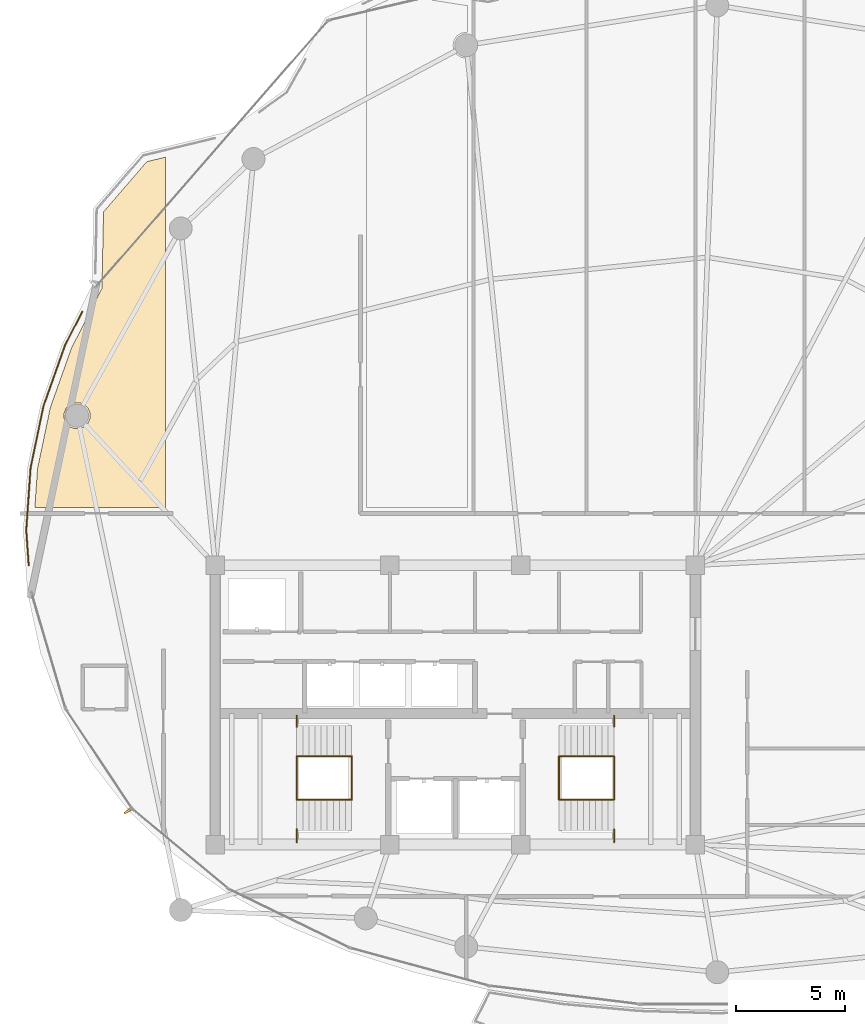
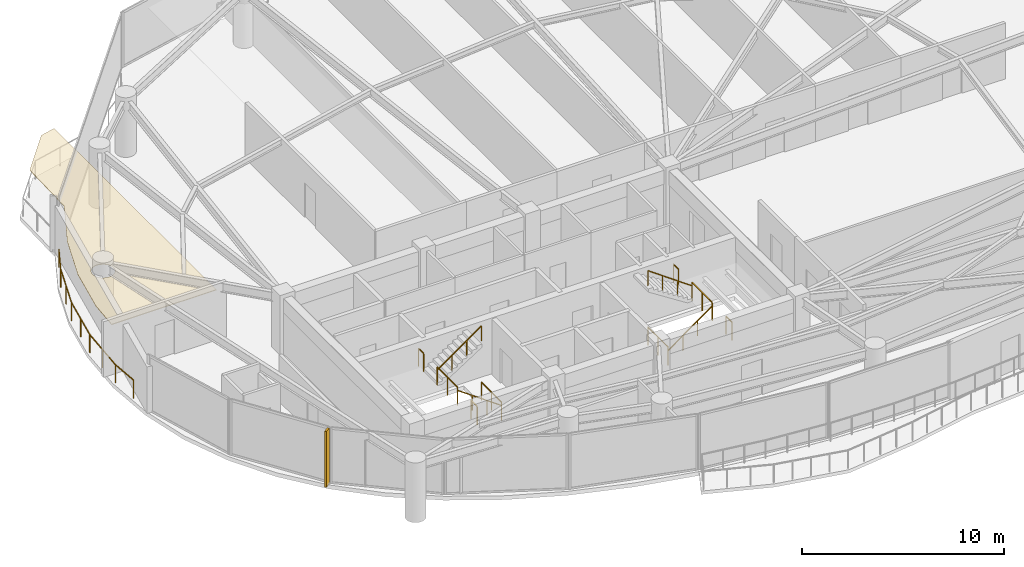
# One storey, part 26 of 28: 13 railings, 1 covering, 1 shading device.
"""IFC4 building model written with IfcOpenShell, lengths in metres."""

from ifc_helpers import new_model, si_unit, direction, frame, origin, origin_2d, place, context, subcontext, project, spatial, polyline, rectangle, outline, extrude, material, layer, layer_set, type_object, element, save


model = new_model("IFC4")

# Units and contexts
model_context = context("Model", 3, precision=1e-05, world=origin(), true_north=direction((0.0, 1.0)))
body_context = subcontext(model_context, "Body", "Model", "MODEL_VIEW")
ifc_project = project(units=[si_unit("LENGTHUNIT", "METRE"), si_unit("AREAUNIT", "SQUARE_METRE"), si_unit("VOLUMEUNIT", "CUBIC_METRE"), si_unit("PLANEANGLEUNIT", "RADIAN"), si_unit("MASSUNIT", "GRAM", prefix="KILO")], contexts=[model_context])

# Site, building, storey
site_placement = place(None, origin())
site = spatial("IfcSite", under=ifc_project, at=site_placement, CompositionType="ELEMENT")
building_placement = place(site_placement, origin())
building = spatial("IfcBuilding", under=site, at=building_placement, Name="Kazevale Care Tower and Concert Hall", CompositionType="ELEMENT")
storey_placement = place(building_placement, frame((0.0, 0.0, 228.0)))
storey = spatial("IfcBuildingStorey", under=building, at=storey_placement, Name="L60", CompositionType="ELEMENT", Elevation=228.0)

# Covering
ifc_material_1 = material(Name="Acoustic Plaster and Hinoki Wood", Category="wood")
ifc_layer = layer(ifc_material_1, 0.0400390625)
ifc_layer_set = layer_set([ifc_layer], Name="Acoustic Plaster and Hinoki Wood")
covering_type = type_object("IfcCoveringType", Name="Acoustic Perforated Wood-Gypsum Ceiling", PredefinedType="CEILING", material=ifc_layer_set)
covering_placement = place(storey_placement, frame((0.0, 0.0, 2.7099609375)))
element("IfcCovering", 1, at=covering_placement, inside=storey, type_object=covering_type, Name="clg:L60:1", PredefinedType="CEILING", context=body_context, shape_type="SweptSolid", body=[
    extrude(outline(polyline([(14.44091796875, 43.615966796875), (15.407958984375, 46.339111328125), (16.806884765625, 49.0791015625), (16.8798828125, 52.589111328125), (18.864990234375, 54.888916015625), (19.719970703125, 55.095947265625), (19.719970703125, 39.054931640625), (13.73388671875, 39.054931640625), (13.85693359375, 40.824951171875), (14.44091796875, 43.615966796875)]), holes=[polyline([(16.262939453125, 43.367919921875), (16.173095703125, 43.5859375), (16.006103515625, 43.7529296875), (15.7880859375, 43.843017578125), (15.552001953125, 43.843017578125), (15.333984375, 43.7529296875), (15.1669921875, 43.5859375), (15.076904296875, 43.367919921875), (15.076904296875, 43.132080078125), (15.1669921875, 42.9140625), (15.333984375, 42.7470703125), (15.552001953125, 42.656982421875), (15.7880859375, 42.656982421875), (16.006103515625, 42.7470703125), (16.173095703125, 42.9140625), (16.262939453125, 43.132080078125), (16.262939453125, 43.367919921875)])]), origin(), (0.0, 0.0, 1.0), 0.0400390625),
])

# Railings
ifc_material_2 = material(Name="Anodised Bronze Aluminium and Laminated Glass", Category="aluminium")
railing_type_1 = type_object("IfcRailingType", Name="Balcony and Terrace Balustrade 1120", PredefinedType="BALUSTRADE", material=ifc_material_2)
railing_1_placement = place(storey_placement, frame((13.451904296875, 36.39892578125, 0.0)))
element("IfcRailing", 2, at=railing_1_placement, inside=storey, type_object=railing_type_1, Name="rail:L60:perim:1", PredefinedType="BALUSTRADE", context=body_context, shape_type="SweptSolid", body=[
    extrude(rectangle(XDim=0.048095703125, YDim=0.048095703125, at=origin_2d()), frame((0.0, 0.0, 1.09619140625), z_axis=(-0.069668671127, 0.997570186134, 0.0), x_axis=(-0.997570186134, -0.069668671127, 0.0)), (0.0, 0.0, 1.0), 1.60498046875),
    extrude(rectangle(XDim=0.048095703125, YDim=0.048095703125, at=origin_2d()), frame((-0.11181640625, 1.60107421875, 1.09619140625), z_axis=(0.069189590327, 0.997603528758, 0.0), x_axis=(-0.997603528758, 0.069189590327, 0.0)), (0.0, 0.0, 1.0), 2.875732421875),
    extrude(rectangle(XDim=0.048095703125, YDim=0.048095703125, at=origin_2d()), frame((0.087158203125, 4.469970703125, 1.09619140625), z_axis=(0.204816187417, 0.978800454317, 0.0), x_axis=(-0.978800454317, 0.204816187417, 0.0)), (0.0, 0.0, 1.0), 2.895263671875),
    extrude(rectangle(XDim=0.048095703125, YDim=0.048095703125, at=origin_2d()), frame((0.68017578125, 7.303955078125, 1.09619140625), z_axis=(0.334552974602, 0.942376945381, 0.0), x_axis=(-0.942376945381, 0.334552974602, 0.0)), (0.0, 0.0, 1.0), 2.93212890625),
    extrude(rectangle(XDim=0.048095703125, YDim=0.048095703125, at=origin_2d()), frame((1.6611328125, 10.067138671875, 1.09619140625), z_axis=(0.455056261721, 0.890462687971, 0.0), x_axis=(-0.890462687971, 0.455056261721, 0.0)), (0.0, 0.0, 1.0), 1.72705078125),
    extrude(rectangle(XDim=0.0419921875, YDim=0.0419921875, at=origin_2d()), origin(), (0.0, 0.0, 1.0), 1.072021484375),
    extrude(rectangle(XDim=0.0419921875, YDim=0.0419921875, at=origin_2d()), frame((-0.11181640625, 1.60107421875, 0.0)), (0.0, 0.0, 1.0), 1.072021484375),
    extrude(rectangle(XDim=0.0419921875, YDim=0.0419921875, at=origin_2d()), frame((-0.01220703125, 3.03564453125, 0.0)), (0.0, 0.0, 1.0), 1.072021484375),
    extrude(rectangle(XDim=0.0419921875, YDim=0.0419921875, at=origin_2d()), frame((0.087158203125, 4.469970703125, 0.0)), (0.0, 0.0, 1.0), 1.072021484375),
    extrude(rectangle(XDim=0.0419921875, YDim=0.0419921875, at=origin_2d()), frame((0.3837890625, 5.886962890625, 0.0)), (0.0, 0.0, 1.0), 1.072021484375),
    extrude(rectangle(XDim=0.0419921875, YDim=0.0419921875, at=origin_2d()), frame((0.68017578125, 7.303955078125, 0.0)), (0.0, 0.0, 1.0), 1.072021484375),
    extrude(rectangle(XDim=0.0419921875, YDim=0.0419921875, at=origin_2d()), frame((1.170654296875, 8.685546875, 0.0)), (0.0, 0.0, 1.0), 1.072021484375),
    extrude(rectangle(XDim=0.0419921875, YDim=0.0419921875, at=origin_2d()), frame((1.6611328125, 10.067138671875, 0.0)), (0.0, 0.0, 1.0), 1.072021484375),
    extrude(rectangle(XDim=0.0419921875, YDim=0.0419921875, at=origin_2d()), frame((2.447021484375, 11.60498046875, 0.0)), (0.0, 0.0, 1.0), 1.072021484375),
])
ifc_material_3 = material(Name="Stainless Steel 316", Category="steel")
railing_type_2 = type_object("IfcRailingType", Name="Stair Pitch Handrail 920", PredefinedType="HANDRAIL", material=ifc_material_3)
railing_2_placement = place(storey_placement, frame((28.25, 25.64990234375, 0.0)))
element("IfcRailing", 3, at=railing_2_placement, inside=storey, type_object=railing_type_2, Name="stair:L60:ST1:hr1", PredefinedType="HANDRAIL", context=body_context, shape_type="SweptSolid", body=[
    extrude(rectangle(XDim=0.048095703125, YDim=0.048095703125, at=origin_2d()), frame((0.0, 0.0, 0.89599609375), z_axis=(-0.813728144527, 0.0, 0.581245650998), x_axis=(0.0, -1.0, 0.0)), (0.0, 0.0, 1.0), 3.096923828125),
    extrude(rectangle(XDim=0.0419921875, YDim=0.0419921875, at=origin_2d()), origin(), (0.0, 0.0, 1.0), 0.871826171875),
    extrude(rectangle(XDim=0.0419921875, YDim=0.0419921875, at=origin_2d()), frame((-0.840087890625, 0.0, 0.60009765625)), (0.0, 0.0, 1.0), 0.871826171875),
    extrude(rectangle(XDim=0.0419921875, YDim=0.0419921875, at=origin_2d()), frame((-1.679931640625, 0.0, 1.199951171875)), (0.0, 0.0, 1.0), 0.871826171875),
    extrude(rectangle(XDim=0.0419921875, YDim=0.0419921875, at=origin_2d()), frame((-2.52001953125, 0.0, 1.800048828125)), (0.0, 0.0, 1.0), 0.871826171875),
])
for number, where, name in (
    (4, (25.72998046875, 27.64990234375, 1.800048828125), "stair:L60:ST1:hr2"),
    (5, (37.75, 25.64990234375, 0.0), "stair:L60:ST2:hr1"),
):
    element("IfcRailing", number, at=place(storey_placement, frame(where)), inside=storey, type_object=railing_type_2, Name=name, PredefinedType="HANDRAIL", context=body_context, shape_type="SweptSolid", body=[
        extrude(rectangle(XDim=0.048095703125, YDim=0.048095703125, at=origin_2d()), frame((0.0, 0.0, 0.89599609375), z_axis=(0.813728144527, 0.0, 0.581245650998), x_axis=(0.0, 1.0, 0.0)), (0.0, 0.0, 1.0), 3.096923828125),
        extrude(rectangle(XDim=0.0419921875, YDim=0.0419921875, at=origin_2d()), origin(), (0.0, 0.0, 1.0), 0.871826171875),
        extrude(rectangle(XDim=0.0419921875, YDim=0.0419921875, at=origin_2d()), frame((0.840087890625, 0.0, 0.60009765625)), (0.0, 0.0, 1.0), 0.871826171875),
        extrude(rectangle(XDim=0.0419921875, YDim=0.0419921875, at=origin_2d()), frame((1.679931640625, 0.0, 1.199951171875)), (0.0, 0.0, 1.0), 0.871826171875),
        extrude(rectangle(XDim=0.0419921875, YDim=0.0419921875, at=origin_2d()), frame((2.52001953125, 0.0, 1.800048828125)), (0.0, 0.0, 1.0), 0.871826171875),
    ])
railing_3_placement = place(storey_placement, frame((40.27001953125, 27.64990234375, 1.800048828125)))
element("IfcRailing", 6, at=railing_3_placement, inside=storey, type_object=railing_type_2, Name="stair:L60:ST2:hr2", PredefinedType="HANDRAIL", context=body_context, shape_type="SweptSolid", body=[
    extrude(rectangle(XDim=0.048095703125, YDim=0.048095703125, at=origin_2d()), frame((0.0, 0.0, 0.89599609375), z_axis=(-0.813728144527, 0.0, 0.581245650998), x_axis=(0.0, -1.0, 0.0)), (0.0, 0.0, 1.0), 3.096923828125),
    extrude(rectangle(XDim=0.0419921875, YDim=0.0419921875, at=origin_2d()), origin(), (0.0, 0.0, 1.0), 0.871826171875),
    extrude(rectangle(XDim=0.0419921875, YDim=0.0419921875, at=origin_2d()), frame((-0.840087890625, 0.0, 0.60009765625)), (0.0, 0.0, 1.0), 0.871826171875),
    extrude(rectangle(XDim=0.0419921875, YDim=0.0419921875, at=origin_2d()), frame((-1.679931640625, 0.0, 1.199951171875)), (0.0, 0.0, 1.0), 0.871826171875),
    extrude(rectangle(XDim=0.0419921875, YDim=0.0419921875, at=origin_2d()), frame((-2.52001953125, 0.0, 1.800048828125)), (0.0, 0.0, 1.0), 0.871826171875),
])
railing_type_3 = type_object("IfcRailingType", Name="Stair Well Guard Balustrade 1120", PredefinedType="BALUSTRADE", material=ifc_material_3)
railing_4_placement = place(storey_placement, frame((25.72998046875, 23.699951171875, 1.800048828125)))
element("IfcRailing", 7, at=railing_4_placement, inside=storey, type_object=railing_type_3, Name="stair:L60:ST1:grd_side1", PredefinedType="BALUSTRADE", context=body_context, shape_type="SweptSolid", body=[
    extrude(rectangle(XDim=0.048095703125, YDim=0.048095703125, at=origin_2d()), frame((0.0, 0.0, 1.09619140625), z_axis=(0.0, 1.0, 0.0), x_axis=(-1.0, 0.0, 0.0)), (0.0, 0.0, 1.0), 0.610107421875),
    extrude(rectangle(XDim=0.0419921875, YDim=0.0419921875, at=origin_2d()), origin(), (0.0, 0.0, 1.0), 1.072021484375),
    extrude(rectangle(XDim=0.0419921875, YDim=0.0419921875, at=origin_2d()), frame((0.0, 0.610107421875, 0.0)), (0.0, 0.0, 1.0), 1.072021484375),
])
railing_5_placement = place(storey_placement, frame((25.72998046875, 28.989990234375, 1.800048828125)))
element("IfcRailing", 8, at=railing_5_placement, inside=storey, type_object=railing_type_3, Name="stair:L60:ST1:grd_side2", PredefinedType="BALUSTRADE", context=body_context, shape_type="SweptSolid", body=[
    extrude(rectangle(XDim=0.048095703125, YDim=0.048095703125, at=origin_2d()), frame((0.0, 0.0, 1.09619140625), z_axis=(0.0, 1.0, 0.0), x_axis=(-1.0, 0.0, 0.0)), (0.0, 0.0, 1.0), 0.510009765625),
    extrude(rectangle(XDim=0.0419921875, YDim=0.0419921875, at=origin_2d()), origin(), (0.0, 0.0, 1.0), 1.072021484375),
    extrude(rectangle(XDim=0.0419921875, YDim=0.0419921875, at=origin_2d()), frame((0.0, 0.510009765625, 0.0)), (0.0, 0.0, 1.0), 1.072021484375),
])
for number, where, name in (
    (9, (25.72998046875, 25.64990234375, 1.800048828125), "stair:L60:ST1:grd_mid"),
    (10, (28.25, 25.64990234375, 0.0), "stair:L60:ST1:grd_flr"),
):
    element("IfcRailing", number, at=place(storey_placement, frame(where)), inside=storey, type_object=railing_type_3, Name=name, PredefinedType="BALUSTRADE", context=body_context, shape_type="SweptSolid", body=[
        extrude(rectangle(XDim=0.048095703125, YDim=0.048095703125, at=origin_2d()), frame((0.0, 0.0, 1.09619140625), z_axis=(0.0, 1.0, 0.0), x_axis=(-1.0, 0.0, 0.0)), (0.0, 0.0, 1.0), 2.0),
        extrude(rectangle(XDim=0.0419921875, YDim=0.0419921875, at=origin_2d()), origin(), (0.0, 0.0, 1.0), 1.072021484375),
        extrude(rectangle(XDim=0.0419921875, YDim=0.0419921875, at=origin_2d()), frame((0.0, 1.0, 0.0)), (0.0, 0.0, 1.0), 1.072021484375),
        extrude(rectangle(XDim=0.0419921875, YDim=0.0419921875, at=origin_2d()), frame((0.0, 2.0, 0.0)), (0.0, 0.0, 1.0), 1.072021484375),
    ])
railing_6_placement = place(storey_placement, frame((40.27001953125, 23.699951171875, 1.800048828125)))
element("IfcRailing", 11, at=railing_6_placement, inside=storey, type_object=railing_type_3, Name="stair:L60:ST2:grd_side1", PredefinedType="BALUSTRADE", context=body_context, shape_type="SweptSolid", body=[
    extrude(rectangle(XDim=0.048095703125, YDim=0.048095703125, at=origin_2d()), frame((0.0, 0.0, 1.09619140625), z_axis=(0.0, 1.0, 0.0), x_axis=(-1.0, 0.0, 0.0)), (0.0, 0.0, 1.0), 0.610107421875),
    extrude(rectangle(XDim=0.0419921875, YDim=0.0419921875, at=origin_2d()), origin(), (0.0, 0.0, 1.0), 1.072021484375),
    extrude(rectangle(XDim=0.0419921875, YDim=0.0419921875, at=origin_2d()), frame((0.0, 0.610107421875, 0.0)), (0.0, 0.0, 1.0), 1.072021484375),
])
railing_7_placement = place(storey_placement, frame((40.27001953125, 28.989990234375, 1.800048828125)))
element("IfcRailing", 12, at=railing_7_placement, inside=storey, type_object=railing_type_3, Name="stair:L60:ST2:grd_side2", PredefinedType="BALUSTRADE", context=body_context, shape_type="SweptSolid", body=[
    extrude(rectangle(XDim=0.048095703125, YDim=0.048095703125, at=origin_2d()), frame((0.0, 0.0, 1.09619140625), z_axis=(0.0, 1.0, 0.0), x_axis=(-1.0, 0.0, 0.0)), (0.0, 0.0, 1.0), 0.510009765625),
    extrude(rectangle(XDim=0.0419921875, YDim=0.0419921875, at=origin_2d()), origin(), (0.0, 0.0, 1.0), 1.072021484375),
    extrude(rectangle(XDim=0.0419921875, YDim=0.0419921875, at=origin_2d()), frame((0.0, 0.510009765625, 0.0)), (0.0, 0.0, 1.0), 1.072021484375),
])
for number, where, name in (
    (13, (40.27001953125, 25.64990234375, 1.800048828125), "stair:L60:ST2:grd_mid"),
    (14, (37.75, 25.64990234375, 0.0), "stair:L60:ST2:grd_flr"),
):
    element("IfcRailing", number, at=place(storey_placement, frame(where)), inside=storey, type_object=railing_type_3, Name=name, PredefinedType="BALUSTRADE", context=body_context, shape_type="SweptSolid", body=[
        extrude(rectangle(XDim=0.048095703125, YDim=0.048095703125, at=origin_2d()), frame((0.0, 0.0, 1.09619140625), z_axis=(0.0, 1.0, 0.0), x_axis=(-1.0, 0.0, 0.0)), (0.0, 0.0, 1.0), 2.0),
        extrude(rectangle(XDim=0.0419921875, YDim=0.0419921875, at=origin_2d()), origin(), (0.0, 0.0, 1.0), 1.072021484375),
        extrude(rectangle(XDim=0.0419921875, YDim=0.0419921875, at=origin_2d()), frame((0.0, 1.0, 0.0)), (0.0, 0.0, 1.0), 1.072021484375),
        extrude(rectangle(XDim=0.0419921875, YDim=0.0419921875, at=origin_2d()), frame((0.0, 2.0, 0.0)), (0.0, 0.0, 1.0), 1.072021484375),
    ])

# Shading device
ifc_material_4 = material(Name="Anodised Bronze Aluminium", Category="aluminium")
shading_device_type = type_object("IfcShadingDeviceType", Name="Waist Anodised Bronze-Stone Fin FIN-02", PredefinedType="USERDEFINED", material=ifc_material_4)
shading_device_placement = place(storey_placement, frame((17.972900390625, 25.121337890625, 0.0), z_axis=(0.0, 0.0, 1.0), x_axis=(-0.832147748683, -0.554553986878, 0.0)))
element("IfcShadingDevice", 15, at=shading_device_placement, inside=storey, type_object=shading_device_type, Name="cw:L60:f11:fin", ObjectType="FIN", PredefinedType="USERDEFINED", context=body_context, shape_type="SweptSolid", body=[
    extrude(rectangle(XDim=0.340087890625, YDim=0.10009765625, at=origin_2d()), origin(), (0.0, 0.0, 1.0), 3.360107421875),
])

save(model, "model.ifc")
